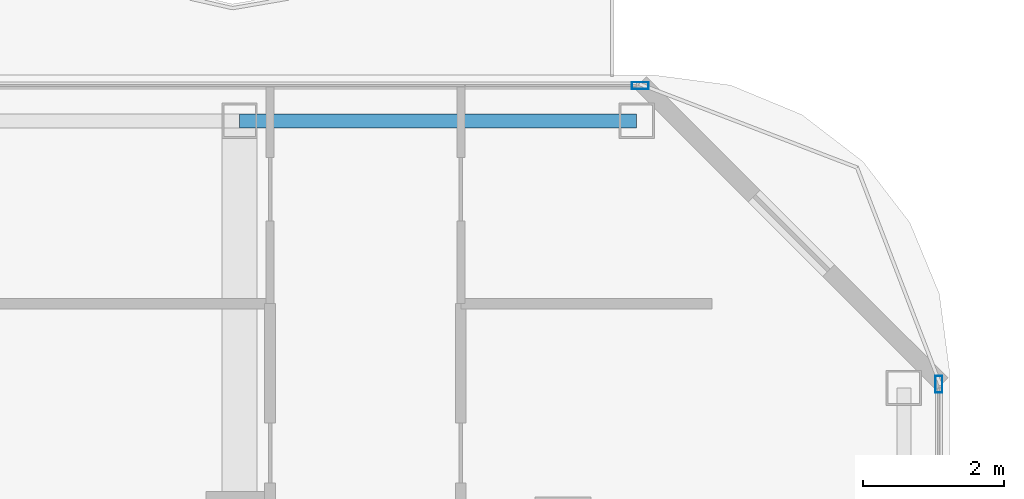
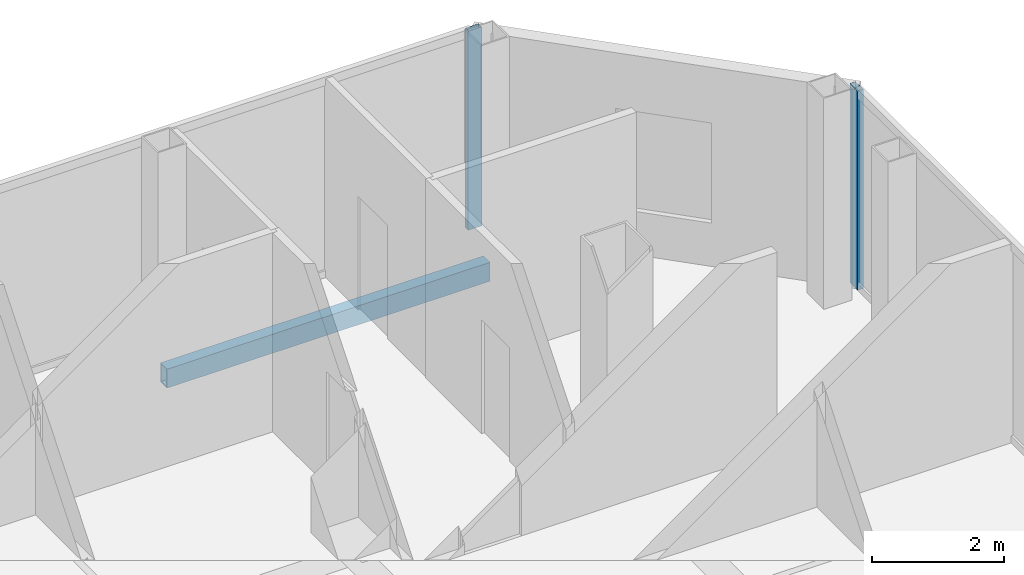
# One storey, part 16 of 25: 2 members, 1 beam, 2 elements without a shape of their own.
"""IFC4 building model written with IfcOpenShell, lengths in metres."""

from ifc_helpers import new_model, si_unit, direction, frame, origin, origin_2d, place, context, subcontext, project, spatial, hollow_rectangle, extrude, material, layer, layer_set, material_profile, profile_set, type_object, element, aggregate, save


model = new_model("IFC4")

# Units and contexts
model_context = context("Model", 3, precision=1e-05, world=origin(), true_north=direction((0.0, 1.0)))
body_context = subcontext(model_context, "Body", "Model", "MODEL_VIEW")
ifc_project = project(units=[si_unit("LENGTHUNIT", "METRE"), si_unit("AREAUNIT", "SQUARE_METRE"), si_unit("VOLUMEUNIT", "CUBIC_METRE"), si_unit("PLANEANGLEUNIT", "RADIAN"), si_unit("MASSUNIT", "GRAM", prefix="KILO")], contexts=[model_context])

# Site, building, storey
site_placement = place(None, origin())
site = spatial("IfcSite", under=ifc_project, at=site_placement, CompositionType="ELEMENT")
building_placement = place(site_placement, origin())
building = spatial("IfcBuilding", under=site, at=building_placement, Name="Khorvyn Point Tower", CompositionType="ELEMENT")
storey_placement = place(building_placement, frame((0.0, 0.0, 254.699951171875)))
storey = spatial("IfcBuildingStorey", under=building, at=storey_placement, Name="L62", CompositionType="ELEMENT", Elevation=254.699951171875)

# Curtain wall, member
ifc_material_1 = material(Name="Anodised aluminium 6063-T6 and laminated Low-E glass", Category="aluminium")
ifc_layer = layer(ifc_material_1, 0.18994140625)
ifc_layer_set = layer_set([ifc_layer], Name="Stick-Built High-Wind Curtain Wall CW-SYS-04")
curtain_wall_type = type_object("IfcCurtainWallType", Name="Stick-Built High-Wind Curtain Wall CW-SYS-04", PredefinedType="NOTDEFINED", material=ifc_layer_set)
curtain_wall_1_placement = place(storey_placement, origin())
curtain_wall_1 = element("IfcCurtainWall", 1, at=curtain_wall_1_placement, inside=storey, type_object=curtain_wall_type, Name="Curtain Wall", PredefinedType="NOTDEFINED")
ifc_material_2 = material(Name="Anodised aluminium 6063-T6", Category="aluminium")
ifc_material_profile_1 = material_profile(ifc_material_2, hollow_rectangle(XDim=0.10009765625, YDim=0.239990234375, WallThickness=0.0048828125, at=origin_2d()))
ifc_profile_set_1 = profile_set([ifc_material_profile_1], Name="Anodised aluminium 6063-T6 ALU-MUL-100x240")
member_type = type_object("IfcMemberType", Name="Anodised Aluminium 6063-T6 Mullion ALU-MUL-100x240", PredefinedType="MULLION", material=ifc_profile_set_1)
member_1_placement = place(storey_placement, frame((20.5, 21.050048828125, 0.0), z_axis=(0.0, 0.0, 1.0), x_axis=(0.0, 1.0, 0.0)))
member_1 = element("IfcMember", 2, at=member_1_placement, type_object=member_type, Name="Transom", PredefinedType="MULLION", context=body_context, shape_type="SweptSolid", body=[
    extrude(hollow_rectangle(XDim=0.10009765625, YDim=0.239990234375, WallThickness=0.0048828125, at=origin_2d()), origin(), (0.0, 0.0, 1.0), 3.679931640625),
])
aggregate(curtain_wall_1, [member_1])

curtain_wall_2_placement = place(storey_placement, origin())
curtain_wall_2 = element("IfcCurtainWall", 3, at=curtain_wall_2_placement, inside=storey, type_object=curtain_wall_type, Name="Curtain Wall", PredefinedType="NOTDEFINED")
member_2_placement = place(storey_placement, frame((24.75, 16.800048828125, 0.0), z_axis=(0.0, 0.0, 1.0), x_axis=(1.0, 0.0, 0.0)))
member_2 = element("IfcMember", 4, at=member_2_placement, type_object=member_type, Name="Transom", PredefinedType="MULLION", context=body_context, shape_type="SweptSolid", body=[
    extrude(hollow_rectangle(XDim=0.10009765625, YDim=0.239990234375, WallThickness=0.0048828125, at=origin_2d()), origin(), (0.0, 0.0, 1.0), 3.679931640625),
])
aggregate(curtain_wall_2, [member_2])

# Beam
ifc_material_3 = material(Name="Steel S355", Category="steel")
ifc_material_profile_2 = material_profile(ifc_material_3, hollow_rectangle(XDim=0.199951171875, YDim=0.35009765625, WallThickness=0.013916015625, at=origin_2d()))
ifc_profile_set_2 = profile_set([ifc_material_profile_2], Name="Steel S355 RHS350x200x14")
beam_type = type_object("IfcBeamType", Name="Steel S355 Spandrel RHS350x200x14", PredefinedType="SPANDREL", material=ifc_profile_set_2)
beam_placement = place(storey_placement, frame((14.800048828125, 20.550048828125, -0.454833984375), z_axis=(1.0, 0.0, 0.0), x_axis=(0.0, 1.0, 0.0)))
element("IfcBeam", 5, at=beam_placement, inside=storey, type_object=beam_type, Name="Beam", PredefinedType="SPANDREL", context=body_context, shape_type="SweptSolid", body=[
    extrude(hollow_rectangle(XDim=0.199951171875, YDim=0.35009765625, WallThickness=0.013916015625, at=origin_2d()), origin(), (0.0, 0.0, 1.0), 5.64990234375),
])

save(model, "model.ifc")
